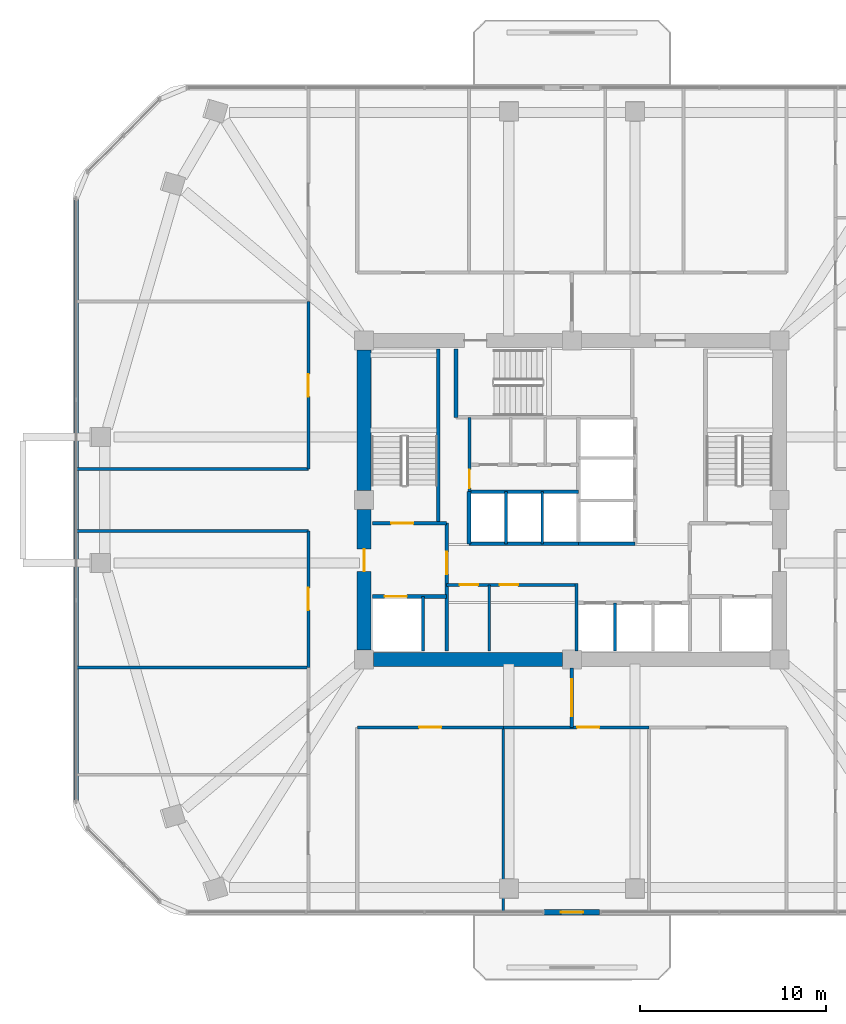
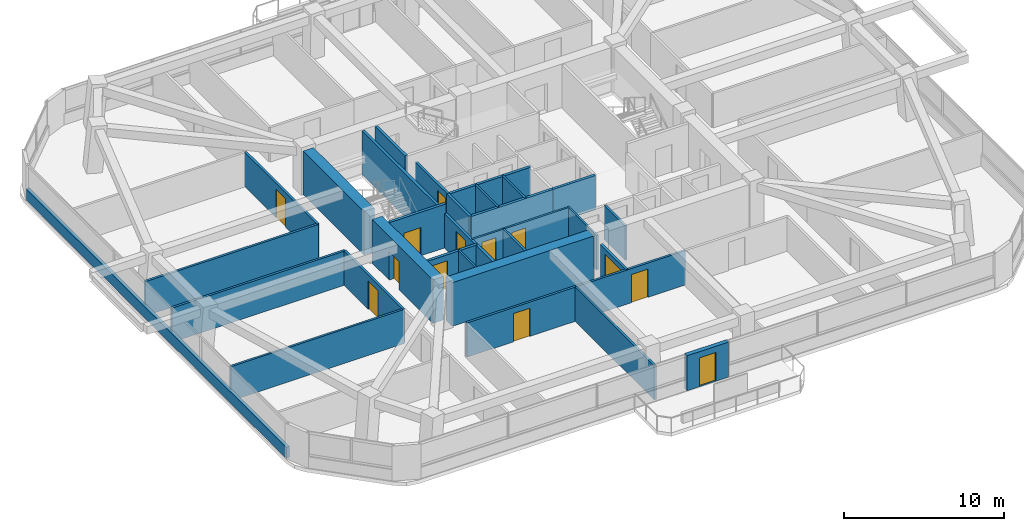
# One storey, part 8 of 13: 31 walls, 13 doors, 13 openings.
"""IFC4 building model written with IfcOpenShell, lengths in metres."""

from ifc_helpers import new_model, si_unit, derived_unit, direction, frame, frame_2d, origin, place, context, subcontext, project, spatial, rectangle, extrude, material, layer, layer_set, type_object, element, fill, save


model = new_model("IFC4")

# Units and contexts
model_context = context("Model", 3, precision=1e-05, world=origin(), true_north=direction((0.0, 1.0)))
body_context = subcontext(model_context, "Body", "Model", "MODEL_VIEW")
ifc_project = project(units=[si_unit("LENGTHUNIT", "METRE"), si_unit("AREAUNIT", "SQUARE_METRE"), si_unit("VOLUMEUNIT", "CUBIC_METRE"), si_unit("PLANEANGLEUNIT", "RADIAN"), si_unit("MASSUNIT", "GRAM", prefix="KILO"), derived_unit("THERMALTRANSMITTANCEUNIT", [(si_unit("POWERUNIT", "WATT"), 1), (si_unit("LENGTHUNIT", "METRE"), -2), (si_unit("THERMODYNAMICTEMPERATUREUNIT", "KELVIN"), -1)])], contexts=[model_context])

# Site, building, storey
site_placement = place(None, origin())
site = spatial("IfcSite", under=ifc_project, at=site_placement, CompositionType="ELEMENT")
building_placement = place(site_placement, origin())
building = spatial("IfcBuilding", under=site, at=building_placement, Name="Koralith Skygarden Medical Center", CompositionType="ELEMENT")
storey_placement = place(building_placement, frame((0.0, 0.0, 88.3798828125)))
storey = spatial("IfcBuildingStorey", under=building, at=storey_placement, Name="L22", CompositionType="ELEMENT", Elevation=88.3798828125)

# Wall, openings, doors
ifc_material_1 = material(Name="Gypsum Board Partition")
ifc_layer_1 = layer(ifc_material_1, 0.14990234375)
ifc_layer_set_1 = layer_set([ifc_layer_1], Name="Gypsum Board Partition")
wall_type_1 = type_object("IfcWallType", Name="Clinical Acoustic Partition 150", PredefinedType="PARTITIONING", material=ifc_layer_set_1)
wall_1_placement = place(storey_placement, frame((30.25, 21.320068359375, 0.0), z_axis=(0.0, 0.0, 1.0), x_axis=(1.0, 0.0, 0.0)))
wall_1 = element("IfcWall", 1, at=wall_1_placement, inside=storey, type_object=wall_type_1, Name="L22 Clinical Acoustic Partition 150 W-CORE-L22-FREED-LR-N", PredefinedType="PARTITIONING", context=body_context, shape_type="SweptSolid", body=[
    extrude(rectangle(XDim=7.0, YDim=0.14990234375, at=frame_2d((3.5, 0.0))), origin(), (0.0, 0.0, 1.0), 2.610107421875),
])
opening_1_placement = place(wall_1_placement, frame((0.699951171875, 0.0, 0.0)))
opening_1 = element("IfcOpeningElement", 2, at=opening_1_placement, cuts=wall_1, Name="Opening D-SUP", PredefinedType="OPENING", context=body_context, shape_type="SweptSolid", body=[
    extrude(rectangle(XDim=1.0, YDim=2.14990234375, at=frame_2d((0.5, 1.074951171875))), frame((0.0, 0.0849609375, 0.0), z_axis=(0.0, -1.0, 0.0), x_axis=(1.0, 0.0, 0.0)), (0.0, 0.0, 1.0), 0.169921875),
])
opening_2_placement = place(wall_1_placement, frame((2.85009765625, 0.0, 0.0)))
opening_2 = element("IfcOpeningElement", 3, at=opening_2_placement, cuts=wall_1, Name="Opening D-SUP", PredefinedType="OPENING", context=body_context, shape_type="SweptSolid", body=[
    extrude(rectangle(XDim=1.0, YDim=2.14990234375, at=frame_2d((0.5, 1.074951171875))), frame((0.0, 0.0849609375, 0.0), z_axis=(0.0, -1.0, 0.0), x_axis=(1.0, 0.0, 0.0)), (0.0, 0.0, 1.0), 0.169921875),
])
ifc_material_2 = material(Name="Aluminium 6063-T6", Category="aluminium")
door_type_1 = type_object("IfcDoorType", Name="Clinical Support Door D-SUP 1000", OperationType="NOTDEFINED", PredefinedType="DOOR", material=ifc_material_2)
door_1_placement = place(opening_1_placement, frame((1.0, 0.0, 0.0), z_axis=(0.0, 0.0, 1.0), x_axis=(-1.0, 0.0, 0.0)))
door_1 = element("IfcDoor", 4, at=door_1_placement, inside=storey, type_object=door_type_1, Name="L22 Medication Preparation Door", OperationType="SINGLE_SWING_LEFT", OverallHeight=2.14990234375, OverallWidth=1.0, PredefinedType="DOOR", context=body_context, shape_type="SweptSolid", body=[
    extrude(rectangle(XDim=1.0, YDim=2.14990234375, at=frame_2d((0.5, 1.074951171875))), frame((0.0, 0.02490234375, 0.0), z_axis=(0.0, -1.0, 0.0), x_axis=(1.0, 0.0, 0.0)), (0.0, 0.0, 1.0), 0.050048828125),
])
fill(opening_1, door_1)
door_2_placement = place(opening_2_placement, frame((1.0, 0.0, 0.0), z_axis=(0.0, 0.0, 1.0), x_axis=(-1.0, 0.0, 0.0)))
door_2 = element("IfcDoor", 5, at=door_2_placement, inside=storey, type_object=door_type_1, Name="L22 Telemetry Room Door", OperationType="SINGLE_SWING_RIGHT", OverallHeight=2.14990234375, OverallWidth=1.0, PredefinedType="DOOR", context=body_context, shape_type="SweptSolid", body=[
    extrude(rectangle(XDim=1.0, YDim=2.14990234375, at=frame_2d((0.5, 1.074951171875))), frame((0.0, 0.02490234375, 0.0), z_axis=(0.0, -1.0, 0.0), x_axis=(1.0, 0.0, 0.0)), (0.0, 0.0, 1.0), 0.050048828125),
])
fill(opening_2, door_2)

# Walls
wall_2_placement = place(storey_placement, frame((32.550048828125, 17.75, 0.0), z_axis=(0.0, 0.0, 1.0), x_axis=(0.0, 1.0, 0.0)))
element("IfcWall", 6, at=wall_2_placement, inside=storey, type_object=wall_type_1, Name="L22 Clinical Acoustic Partition 150 W-CORE-L22-FREED-LR-M", PredefinedType="PARTITIONING", context=body_context, shape_type="SweptSolid", body=[
    extrude(rectangle(XDim=3.570068359375, YDim=0.14990234375, at=frame_2d((1.78515625, 0.0))), origin(), (0.0, 0.0, 1.0), 2.610107421875),
])
wall_3_placement = place(storey_placement, frame((33.301025390625, 13.639892578125, 0.0), z_axis=(0.0, 0.0, 1.0), x_axis=(0.0, -1.0, 0.0)))
element("IfcWall", 7, at=wall_3_placement, inside=storey, type_object=wall_type_1, Name="L22 Clinical Acoustic Partition 150 W-PART-L22-S-01", PredefinedType="PARTITIONING", context=body_context, shape_type="SweptSolid", body=[
    extrude(rectangle(XDim=9.93994140625, YDim=0.14990234375, at=frame_2d((4.969970703125, 0.0))), origin(), (0.0, 0.0, 1.0), 2.610107421875),
])
wall_4_placement = place(storey_placement, frame((22.7900390625, 16.8779296875, 0.0), z_axis=(0.0, 0.0, 1.0), x_axis=(-1.0, 0.0, 0.0)))
element("IfcWall", 8, at=wall_4_placement, inside=storey, type_object=wall_type_1, Name="L22 Clinical Acoustic Partition 150 W-PART-L22-WS-02", PredefinedType="PARTITIONING", context=body_context, shape_type="SweptSolid", body=[
    extrude(rectangle(XDim=12.489990234375, YDim=0.14990234375, at=frame_2d((6.2451171875, 0.0))), origin(), (0.0, 0.0, 1.0), 2.610107421875),
])
ifc_layer_2 = layer(ifc_material_1, 0.1650390625)
ifc_layer_set_2 = layer_set([ifc_layer_2], Name="Gypsum Board Partition")
wall_type_2 = type_object("IfcWallType", Name="Clinical Corridor Partition 165", PredefinedType="PARTITIONING", material=ifc_layer_set_2)
for number, where, z_axis, x_axis, name in (
    (9, (10.300048828125, 24.239990234375, 0.0), (0.0, 0.0, 1.0), (1.0, 0.0, 0.0), "L22 Clinical Corridor Partition 165 W-HCOR-L22-EWS-W"),
    (10, (10.300048828125, 27.56005859375, 0.0), (0.0, 0.0, 1.0), (1.0, 0.0, 0.0), "L22 Clinical Corridor Partition 165 W-HCOR-L22-EWN-W"),
):
    element("IfcWall", number, at=place(storey_placement, frame(where, z_axis=z_axis, x_axis=x_axis)), inside=storey, type_object=wall_type_2, Name=name, PredefinedType="PARTITIONING", context=body_context, shape_type="SweptSolid", body=[
        extrude(rectangle(XDim=12.489990234375, YDim=0.1650390625, at=frame_2d((6.2451171875, 0.0))), origin(), (0.0, 0.0, 1.0), 2.610107421875),
    ])

# Wall, opening, door
wall_5_placement = place(storey_placement, frame((25.429931640625, 13.639892578125, 0.0), z_axis=(0.0, 0.0, 1.0), x_axis=(1.0, 0.0, 0.0)))
wall_5 = element("IfcWall", 11, at=wall_5_placement, inside=storey, type_object=wall_type_2, Name="L22 Clinical Corridor Partition 165 W-CORR-L22-S-01", PredefinedType="PARTITIONING", context=body_context, shape_type="SweptSolid", body=[
    extrude(rectangle(XDim=7.87109375, YDim=0.1650390625, at=frame_2d((3.935546875, 0.0))), origin(), (0.0, 0.0, 1.0), 2.610107421875),
])
opening_3_placement = place(wall_5_placement, frame((3.3359375, 0.0, 0.0)))
opening_3 = element("IfcOpeningElement", 12, at=opening_3_placement, cuts=wall_5, Name="Opening D-CLN", PredefinedType="OPENING", context=body_context, shape_type="SweptSolid", body=[
    extrude(rectangle(XDim=1.199951171875, YDim=2.14990234375, at=frame_2d((0.60009765625, 1.074951171875))), frame((0.0, 0.092529296875, 0.0), z_axis=(0.0, -1.0, 0.0), x_axis=(1.0, 0.0, 0.0)), (0.0, 0.0, 1.0), 0.18505859375),
])
door_type_2 = type_object("IfcDoorType", Name="Clinical Corridor Door D-CLN 1200", OperationType="NOTDEFINED", PredefinedType="DOOR", material=ifc_material_2)
door_3_placement = place(opening_3_placement, frame((1.199951171875, 0.0, 0.0), z_axis=(0.0, 0.0, 1.0), x_axis=(-1.0, 0.0, 0.0)))
door_3 = element("IfcDoor", 13, at=door_3_placement, inside=storey, type_object=door_type_2, Name="L22 Clinical Consultation Office 05 Door", OperationType="SINGLE_SWING_RIGHT", OverallHeight=2.14990234375, OverallWidth=1.199951171875, PredefinedType="DOOR", context=body_context, shape_type="SweptSolid", body=[
    extrude(rectangle(XDim=1.199951171875, YDim=2.14990234375, at=frame_2d((0.60009765625, 1.074951171875))), frame((0.0, 0.02490234375, 0.0), z_axis=(0.0, -1.0, 0.0), x_axis=(1.0, 0.0, 0.0)), (0.0, 0.0, 1.0), 0.050048828125),
])
fill(opening_3, door_3)

wall_6_placement = place(storey_placement, frame((33.301025390625, 13.639892578125, 0.0), z_axis=(0.0, 0.0, 1.0), x_axis=(1.0, 0.0, 0.0)))
wall_6 = element("IfcWall", 14, at=wall_6_placement, inside=storey, type_object=wall_type_2, Name="L22 Clinical Corridor Partition 165 W-CORR-L22-S-02", PredefinedType="PARTITIONING", context=body_context, shape_type="SweptSolid", body=[
    extrude(rectangle(XDim=7.861083984375, YDim=0.1650390625, at=frame_2d((3.9306640625, 0.0))), origin(), (0.0, 0.0, 1.0), 2.610107421875),
])
opening_4_placement = place(wall_6_placement, frame((3.98095703125, 0.0, 0.0)))
opening_4 = element("IfcOpeningElement", 15, at=opening_4_placement, cuts=wall_6, Name="Opening D-CLN", PredefinedType="OPENING", context=body_context, shape_type="SweptSolid", body=[
    extrude(rectangle(XDim=1.199951171875, YDim=2.14990234375, at=frame_2d((0.60009765625, 1.074951171875))), frame((0.0, 0.092529296875, 0.0), z_axis=(0.0, -1.0, 0.0), x_axis=(1.0, 0.0, 0.0)), (0.0, 0.0, 1.0), 0.18505859375),
])
door_4_placement = place(opening_4_placement, frame((1.199951171875, 0.0, 0.0), z_axis=(0.0, 0.0, 1.0), x_axis=(-1.0, 0.0, 0.0)))
door_4 = element("IfcDoor", 16, at=door_4_placement, inside=storey, type_object=door_type_2, Name="L22 Patient and Family Sky-Garden Day Lounge 06 Door", OperationType="SINGLE_SWING_LEFT", OverallHeight=2.14990234375, OverallWidth=1.199951171875, PredefinedType="DOOR", context=body_context, shape_type="SweptSolid", body=[
    extrude(rectangle(XDim=1.199951171875, YDim=2.14990234375, at=frame_2d((0.60009765625, 1.074951171875))), frame((0.0, 0.02490234375, 0.0), z_axis=(0.0, -1.0, 0.0), x_axis=(1.0, 0.0, 0.0)), (0.0, 0.0, 1.0), 0.050048828125),
])
fill(opening_4, door_4)

wall_7_placement = place(storey_placement, frame((22.7900390625, 16.8779296875, 0.0), z_axis=(0.0, 0.0, 1.0), x_axis=(0.0, 1.0, 0.0)))
wall_7 = element("IfcWall", 17, at=wall_7_placement, inside=storey, type_object=wall_type_2, Name="L22 Clinical Corridor Partition 165 W-CORR-L22-WS-03", PredefinedType="PARTITIONING", context=body_context, shape_type="SweptSolid", body=[
    extrude(rectangle(XDim=7.362060546875, YDim=0.1650390625, at=frame_2d((3.68115234375, 0.0))), origin(), (0.0, 0.0, 1.0), 2.610107421875),
])
opening_5_placement = place(wall_7_placement, frame((3.0810546875, 0.0, 0.0)))
opening_5 = element("IfcOpeningElement", 18, at=opening_5_placement, cuts=wall_7, Name="Opening D-CLN", PredefinedType="OPENING", context=body_context, shape_type="SweptSolid", body=[
    extrude(rectangle(XDim=1.199951171875, YDim=2.14990234375, at=frame_2d((0.60009765625, 1.074951171875))), frame((0.0, 0.092529296875, 0.0), z_axis=(0.0, -1.0, 0.0), x_axis=(1.0, 0.0, 0.0)), (0.0, 0.0, 1.0), 0.18505859375),
])
door_5_placement = place(opening_5_placement, frame((1.199951171875, 0.0, 0.0), z_axis=(0.0, 0.0, 1.0), x_axis=(-1.0, 0.0, 0.0)))
door_5 = element("IfcDoor", 19, at=door_5_placement, inside=storey, type_object=door_type_2, Name="L22 Clinical Consultation Office 10 Door", OperationType="SINGLE_SWING_LEFT", OverallHeight=2.14990234375, OverallWidth=1.199951171875, PredefinedType="DOOR", context=body_context, shape_type="SweptSolid", body=[
    extrude(rectangle(XDim=1.199951171875, YDim=2.14990234375, at=frame_2d((0.60009765625, 1.074951171875))), frame((0.0, 0.02490234375, 0.0), z_axis=(0.0, -1.0, 0.0), x_axis=(1.0, 0.0, 0.0)), (0.0, 0.0, 1.0), 0.050048828125),
])
fill(opening_5, door_5)

wall_8_placement = place(storey_placement, frame((22.7900390625, 27.56005859375, 0.0), z_axis=(0.0, 0.0, 1.0), x_axis=(0.0, 1.0, 0.0)))
wall_8 = element("IfcWall", 20, at=wall_8_placement, inside=storey, type_object=wall_type_2, Name="L22 Clinical Corridor Partition 165 W-CORR-L22-WN-01", PredefinedType="PARTITIONING", context=body_context, shape_type="SweptSolid", body=[
    extrude(rectangle(XDim=9.037841796875, YDim=0.1650390625, at=frame_2d((4.51904296875, 0.0))), origin(), (0.0, 0.0, 1.0), 2.610107421875),
])
opening_6_placement = place(wall_8_placement, frame((3.9189453125, 0.0, 0.0)))
opening_6 = element("IfcOpeningElement", 21, at=opening_6_placement, cuts=wall_8, Name="Opening D-CLN", PredefinedType="OPENING", context=body_context, shape_type="SweptSolid", body=[
    extrude(rectangle(XDim=1.199951171875, YDim=2.14990234375, at=frame_2d((0.60009765625, 1.074951171875))), frame((0.0, 0.092529296875, 0.0), z_axis=(0.0, -1.0, 0.0), x_axis=(1.0, 0.0, 0.0)), (0.0, 0.0, 1.0), 0.18505859375),
])
door_6_placement = place(opening_6_placement, frame((1.199951171875, 0.0, 0.0), z_axis=(0.0, 0.0, 1.0), x_axis=(-1.0, 0.0, 0.0)))
door_6 = element("IfcDoor", 22, at=door_6_placement, inside=storey, type_object=door_type_2, Name="L22 Physician Consultation Office 11 Door", OperationType="SINGLE_SWING_RIGHT", OverallHeight=2.14990234375, OverallWidth=1.199951171875, PredefinedType="DOOR", context=body_context, shape_type="SweptSolid", body=[
    extrude(rectangle(XDim=1.199951171875, YDim=2.14990234375, at=frame_2d((0.60009765625, 1.074951171875))), frame((0.0, 0.02490234375, 0.0), z_axis=(0.0, -1.0, 0.0), x_axis=(1.0, 0.0, 0.0)), (0.0, 0.0, 1.0), 0.050048828125),
])
fill(opening_6, door_6)

ifc_layer_3 = layer(ifc_material_1, 0.199951171875)
ifc_layer_set_3 = layer_set([ifc_layer_3], Name="Gypsum Board Partition")
wall_type_3 = type_object("IfcWallType", Name="Fire Shaft Wall 200", PredefinedType="SOLIDWALL", material=ifc_layer_set_3)
wall_9_placement = place(storey_placement, frame((26.25, 20.699951171875, 0.0), z_axis=(0.0, 0.0, 1.0), x_axis=(1.0, 0.0, 0.0)))
wall_9 = element("IfcWall", 23, at=wall_9_placement, inside=storey, type_object=wall_type_3, Name="L22 Fire Shaft Wall 200 W-CORE-L22-FF1-N", PredefinedType="SOLIDWALL", context=body_context, shape_type="SweptSolid", body=[
    extrude(rectangle(XDim=4.0, YDim=0.199951171875, at=frame_2d((2.0, 0.0))), origin(), (0.0, 0.0, 1.0), 2.610107421875),
])
opening_7_placement = place(wall_9_placement, frame((0.64990234375, 0.0, 0.0)))
opening_7 = element("IfcOpeningElement", 24, at=opening_7_placement, cuts=wall_9, Name="Opening LD-FF", PredefinedType="OPENING", context=body_context, shape_type="SweptSolid", body=[
    extrude(rectangle(XDim=1.199951171875, YDim=2.14990234375, at=frame_2d((0.60009765625, 1.074951171875))), frame((0.0, 0.10986328125, 0.0), z_axis=(0.0, -1.0, 0.0), x_axis=(1.0, 0.0, 0.0)), (0.0, 0.0, 1.0), 0.219970703125),
])
ifc_material_3 = material(Name="Steel ASTM A500 Grade C", Category="steel")
door_type_3 = type_object("IfcDoorType", Name="Fire Lift Sliding Landing Door LD-FF 1200", OperationType="NOTDEFINED", PredefinedType="DOOR", material=ifc_material_3)
door_7_placement = place(opening_7_placement, origin())
door_7 = element("IfcDoor", 25, at=door_7_placement, inside=storey, type_object=door_type_3, Name="L22 Fire Service Elevator FF1 Landing Door", OperationType="SLIDING_TO_LEFT", OverallHeight=2.14990234375, OverallWidth=1.199951171875, PredefinedType="DOOR", context=body_context, shape_type="SweptSolid", body=[
    extrude(rectangle(XDim=1.199951171875, YDim=2.14990234375, at=frame_2d((0.60009765625, 1.074951171875))), frame((0.0, 0.02490234375, 0.0), z_axis=(0.0, -1.0, 0.0), x_axis=(1.0, 0.0, 0.0)), (0.0, 0.0, 1.0), 0.050048828125),
])
fill(opening_7, door_7)

wall_10_placement = place(storey_placement, frame((30.25, 17.75, 0.0), z_axis=(0.0, 0.0, 1.0), x_axis=(0.0, 1.0, 0.0)))
wall_10 = element("IfcWall", 26, at=wall_10_placement, inside=storey, type_object=wall_type_3, Name="L22 Fire Shaft Wall 200 W-CORE-L22-FSAEW-E", PredefinedType="SOLIDWALL", context=body_context, shape_type="SweptSolid", body=[
    extrude(rectangle(XDim=6.89990234375, YDim=0.199951171875, at=frame_2d((3.449951171875, 0.0))), origin(), (0.0, 0.0, 1.0), 2.610107421875),
])
opening_8_placement = place(wall_10_placement, frame((4.14990234375, 0.0, 0.0)))
opening_8 = element("IfcOpeningElement", 27, at=opening_8_placement, cuts=wall_10, Name="Opening D-ST60", PredefinedType="OPENING", context=body_context, shape_type="SweptSolid", body=[
    extrude(rectangle(XDim=1.199951171875, YDim=2.14990234375, at=frame_2d((0.60009765625, 1.074951171875))), frame((0.0, 0.10986328125, 0.0), z_axis=(0.0, -1.0, 0.0), x_axis=(1.0, 0.0, 0.0)), (0.0, 0.0, 1.0), 0.219970703125),
])
door_type_4 = type_object("IfcDoorType", Name="Smokeproof Stair Fire Door FD60S 1200", OperationType="NOTDEFINED", PredefinedType="DOOR", material=ifc_material_3)
door_8_placement = place(opening_8_placement, origin())
door_8 = element("IfcDoor", 28, at=door_8_placement, inside=storey, type_object=door_type_4, Name="L22 West Firefighting Lobby Inner Fire Door", OperationType="SINGLE_SWING_LEFT", OverallHeight=2.14990234375, OverallWidth=1.199951171875, PredefinedType="DOOR", context=body_context, shape_type="SweptSolid", body=[
    extrude(rectangle(XDim=1.199951171875, YDim=2.14990234375, at=frame_2d((0.60009765625, 1.074951171875))), frame((0.0, 0.02490234375, 0.0), z_axis=(0.0, -1.0, 0.0), x_axis=(1.0, 0.0, 0.0)), (0.0, 0.0, 1.0), 0.050048828125),
])
fill(opening_8, door_8)

# Walls
for number, where, z_axis, x_axis, name in (
    (29, (31.449951171875, 23.5400390625, 0.0), (0.0, 0.0, 1.0), (1.0, 0.0, 0.0), "L22 Fire Shaft Wall 200 W-CORE-L22-PH-S"),
    (30, (31.449951171875, 26.35009765625, 0.0), (0.0, 0.0, 1.0), (1.0, 0.0, 0.0), "L22 Fire Shaft Wall 200 W-CORE-L22-PH-N"),
):
    element("IfcWall", number, at=place(storey_placement, frame(where, z_axis=z_axis, x_axis=x_axis)), inside=storey, type_object=wall_type_3, Name=name, PredefinedType="SOLIDWALL", context=body_context, shape_type="SweptSolid", body=[
        extrude(rectangle(XDim=5.900146484375, YDim=0.199951171875, at=frame_2d((2.9501953125, 0.0))), origin(), (0.0, 0.0, 1.0), 2.610107421875),
    ])
wall_11_placement = place(storey_placement, frame((31.449951171875, 23.5400390625, 0.0), z_axis=(0.0, 0.0, 1.0), x_axis=(0.0, 1.0, 0.0)))
element("IfcWall", 31, at=wall_11_placement, inside=storey, type_object=wall_type_3, Name="L22 Fire Shaft Wall 200 W-CORE-L22-PH-W", PredefinedType="SOLIDWALL", context=body_context, shape_type="SweptSolid", body=[
    extrude(rectangle(XDim=2.81005859375, YDim=0.199951171875, at=frame_2d((1.405029296875, 0.0))), origin(), (0.0, 0.0, 1.0), 2.610107421875),
])
wall_12_placement = place(storey_placement, frame((37.35009765625, 23.5400390625, 0.0), z_axis=(0.0, 0.0, 1.0), x_axis=(1.0, 0.0, 0.0)))
element("IfcWall", 32, at=wall_12_placement, inside=storey, type_object=wall_type_3, Name="L22 Fire Shaft Wall 200 W-CORE-L22-SV-S", PredefinedType="SOLIDWALL", context=body_context, shape_type="SweptSolid", body=[
    extrude(rectangle(XDim=3.0498046875, YDim=0.199951171875, at=frame_2d((1.52490234375, 0.0))), origin(), (0.0, 0.0, 1.0), 2.610107421875),
])

# Wall, opening, door
ifc_layer_4 = layer(ifc_material_1, 0.179931640625)
ifc_layer_set_4 = layer_set([ifc_layer_4], Name="Gypsum Board Partition")
wall_type_4 = type_object("IfcWallType", Name="Group I-2 Smoke Barrier Wall 180", PredefinedType="PARTITIONING", material=ifc_layer_set_4)
wall_13_placement = place(storey_placement, frame((37.0, 13.639892578125, 0.0), z_axis=(0.0, 0.0, 1.0), x_axis=(0.0, 1.0, 0.0)))
wall_13 = element("IfcWall", 33, at=wall_13_placement, inside=storey, type_object=wall_type_4, Name="L22 Group I-2 Smoke Barrier Wall 180 W-SMK-L22-S", PredefinedType="PARTITIONING", context=body_context, shape_type="SweptSolid", body=[
    extrude(rectangle(XDim=3.210205078125, YDim=0.179931640625, at=frame_2d((1.60498046875, 0.0))), origin(), (0.0, 0.0, 1.0), 2.610107421875),
])
opening_9_placement = place(wall_13_placement, frame((0.60498046875, 0.0, 0.0)))
opening_9 = element("IfcOpeningElement", 34, at=opening_9_placement, cuts=wall_13, Name="Opening D-SMK", PredefinedType="OPENING", context=body_context, shape_type="SweptSolid", body=[
    extrude(rectangle(XDim=2.0, YDim=2.199951171875, at=frame_2d((1.0, 1.10009765625))), frame((0.0, 0.099853515625, 0.0), z_axis=(0.0, -1.0, 0.0), x_axis=(1.0, 0.0, 0.0)), (0.0, 0.0, 1.0), 0.199951171875),
])
door_type_5 = type_object("IfcDoorType", Name="Cross-Corridor Double Smoke Door FD60S 2000", OperationType="NOTDEFINED", PredefinedType="DOOR", material=ifc_material_3)
door_9_placement = place(opening_9_placement, frame((2.0, 0.0, 0.0), z_axis=(0.0, 0.0, 1.0), x_axis=(-1.0, 0.0, 0.0)))
door_9 = element("IfcDoor", 35, at=door_9_placement, inside=storey, type_object=door_type_5, Name="L22 S Smoke Compartment Cross-Corridor Door", OperationType="DOUBLE_DOOR_SINGLE_SWING", OverallHeight=2.199951171875, OverallWidth=2.0, PredefinedType="DOOR", context=body_context, shape_type="SweptSolid", body=[
    extrude(rectangle(XDim=2.0, YDim=2.199951171875, at=frame_2d((1.0, 1.10009765625))), frame((0.0, 0.02490234375, 0.0), z_axis=(0.0, -1.0, 0.0), x_axis=(1.0, 0.0, 0.0)), (0.0, 0.0, 1.0), 0.050048828125),
])
fill(opening_9, door_9)

# Walls
ifc_material_4 = material(Name="Warm Oolitic Limestone Cladding", Category="masonry")
ifc_layer_5 = layer(ifc_material_4, 0.239990234375)
ifc_layer_set_5 = layer_set([ifc_layer_5], Name="Warm Oolitic Limestone Cladding")
wall_type_5 = type_object("IfcWallType", Name="Limestone Spandrel Sill Backup Wall 240", PredefinedType="SOLIDWALL", material=ifc_layer_set_5)
wall_14_placement = place(storey_placement, frame((10.280029296875, 42.14501953125, 0.0), z_axis=(0.0, 0.0, 1.0), x_axis=(0.0, -1.0, 0.0)))
element("IfcWall", 36, at=wall_14_placement, inside=storey, type_object=wall_type_5, Name="L22 Sill Spandrel W", PredefinedType="SOLIDWALL", context=body_context, shape_type="SweptSolid", body=[
    extrude(rectangle(XDim=32.489990234375, YDim=0.239990234375, at=frame_2d((16.2451171875, 0.0))), origin(), (0.0, 0.0, 1.0), 0.85009765625),
])
ifc_material_5 = material(Name="Concrete C70/85", Category="concrete")
ifc_layer_6 = layer(ifc_material_5, 0.75)
ifc_layer_set_6 = layer_set([ifc_layer_6], Name="Concrete C70/85")
wall_type_6 = type_object("IfcWallType", Name="Mid Core Shear Wall 750", PredefinedType="SHEAR", material=ifc_layer_set_6)
wall_15_placement = place(storey_placement, frame((26.304931640625, 17.300048828125, 0.0), z_axis=(0.0, 0.0, 1.0), x_axis=(1.0, 0.0, 0.0)))
element("IfcWall", 37, at=wall_15_placement, inside=storey, type_object=wall_type_6, Name="L22 Core Shear Wall Segment 1", PredefinedType="SHEAR", context=body_context, shape_type="SweptSolid", body=[
    extrude(rectangle(XDim=10.190185546875, YDim=0.75, at=frame_2d((5.09521484375, 0.0))), origin(), (0.0, 0.0, 1.0), 3.320068359375),
])
wall_16_placement = place(storey_placement, frame((25.800048828125, 33.9951171875, 0.0), z_axis=(0.0, 0.0, 1.0), x_axis=(0.0, -1.0, 0.0)))
element("IfcWall", 38, at=wall_16_placement, inside=storey, type_object=wall_type_6, Name="L22 Core Shear Wall Segment 7", PredefinedType="SHEAR", context=body_context, shape_type="SweptSolid", body=[
    extrude(rectangle(XDim=7.590087890625, YDim=0.75, at=frame_2d((3.794921875, 0.0))), origin(), (0.0, 0.0, 1.0), 3.320068359375),
])

# Wall, opening, door
wall_17_placement = place(storey_placement, frame((25.800048828125, 25.39501953125, 0.0), z_axis=(0.0, 0.0, 1.0), x_axis=(0.0, -1.0, 0.0)))
wall_17 = element("IfcWall", 39, at=wall_17_placement, inside=storey, type_object=wall_type_6, Name="L22 Core Shear Wall Segment 8", PredefinedType="SHEAR", context=body_context, shape_type="SweptSolid", body=[
    extrude(rectangle(XDim=7.590087890625, YDim=0.75, at=frame_2d((3.794921875, 0.0))), origin(), (0.0, 0.0, 1.0), 3.320068359375),
])
opening_10_placement = place(wall_17_placement, frame((2.14501953125, 0.0, 0.0)))
opening_10 = element("IfcOpeningElement", 40, at=opening_10_placement, cuts=wall_17, Name="Opening D-ST60", PredefinedType="OPENING", context=body_context, shape_type="SweptSolid", body=[
    extrude(rectangle(XDim=1.199951171875, YDim=2.14990234375, at=frame_2d((0.60009765625, 1.074951171875))), frame((0.0, 0.385009765625, 0.0), z_axis=(0.0, -1.0, 0.0), x_axis=(1.0, 0.0, 0.0)), (0.0, 0.0, 1.0), 0.77001953125),
])
door_10_placement = place(opening_10_placement, frame((1.199951171875, 0.0, 0.0), z_axis=(0.0, 0.0, 1.0), x_axis=(-1.0, 0.0, 0.0)))
door_10 = element("IfcDoor", 41, at=door_10_placement, inside=storey, type_object=door_type_4, Name="L22 West Corridor to Firefighting Lobby Door", OperationType="SINGLE_SWING_LEFT", OverallHeight=2.14990234375, OverallWidth=1.199951171875, PredefinedType="DOOR", context=body_context, shape_type="SweptSolid", body=[
    extrude(rectangle(XDim=1.199951171875, YDim=2.14990234375, at=frame_2d((0.60009765625, 1.074951171875))), frame((0.0, 0.02490234375, 0.0), z_axis=(0.0, -1.0, 0.0), x_axis=(1.0, 0.0, 0.0)), (0.0, 0.0, 1.0), 0.050048828125),
])
fill(opening_10, door_10)

ifc_layer_7 = layer(ifc_material_4, 0.300048828125)
ifc_layer_set_7 = layer_set([ifc_layer_7], Name="Warm Oolitic Limestone Cladding")
wall_type_7 = type_object("IfcWallType", Name="Oolitic Limestone Insulated Facade Wall 300", PredefinedType="SOLIDWALL", material=ifc_layer_set_7)
wall_18_placement = place(storey_placement, frame((35.4990234375, 3.679931640625, 0.0), z_axis=(0.0, 0.0, 1.0), x_axis=(1.0, 0.0, 0.0)))
wall_18 = element("IfcWall", 42, at=wall_18_placement, inside=storey, type_object=wall_type_7, Name="L22 Terrace Portal Wall S", PredefinedType="SOLIDWALL", context=body_context, shape_type="SweptSolid", body=[
    extrude(rectangle(XDim=3.0, YDim=0.300048828125, at=frame_2d((1.5, 0.0))), origin(), (0.0, 0.0, 1.0), 2.670166015625),
])
opening_11_placement = place(wall_18_placement, frame((0.89990234375, 0.0, 0.0)))
opening_11 = element("IfcOpeningElement", 43, at=opening_11_placement, cuts=wall_18, Name="Opening D-BAL", PredefinedType="OPENING", context=body_context, shape_type="SweptSolid", body=[
    extrude(rectangle(XDim=1.199951171875, YDim=2.199951171875, at=frame_2d((0.60009765625, 1.10009765625))), frame((0.0, 0.159912109375, 0.0), z_axis=(0.0, -1.0, 0.0), x_axis=(1.0, 0.0, 0.0)), (0.0, 0.0, 1.0), 0.320068359375),
])
door_type_6 = type_object("IfcDoorType", Name="Planted Balcony Glazed Terrace Door D-BAL 1200", OperationType="NOTDEFINED", PredefinedType="DOOR", material=ifc_material_2)
door_11_placement = place(opening_11_placement, origin())
door_11 = element("IfcDoor", 44, at=door_11_placement, inside=storey, type_object=door_type_6, Name="L22 S Outdoor Terrace Access Door", OperationType="SINGLE_SWING_LEFT", OverallHeight=2.199951171875, OverallWidth=1.199951171875, PredefinedType="DOOR", context=body_context, shape_type="SweptSolid", body=[
    extrude(rectangle(XDim=1.199951171875, YDim=2.199951171875, at=frame_2d((0.60009765625, 1.10009765625))), frame((0.0, 0.02490234375, 0.0), z_axis=(0.0, -1.0, 0.0), x_axis=(1.0, 0.0, 0.0)), (0.0, 0.0, 1.0), 0.050048828125),
])
fill(opening_11, door_11)

ifc_layer_8 = layer(ifc_material_1, 0.1650390625)
ifc_layer_set_8 = layer_set([ifc_layer_8], Name="Gypsum Board Partition")
wall_type_8 = type_object("IfcWallType", Name="Plumbing Wet Wall 165", PredefinedType="PLUMBINGWALL", material=ifc_layer_set_8)
wall_19_placement = place(storey_placement, frame((31.47998046875, 26.320068359375, 0.0), z_axis=(0.0, 0.0, 1.0), x_axis=(0.0, 1.0, 0.0)))
wall_19 = element("IfcWall", 45, at=wall_19_placement, inside=storey, type_object=wall_type_8, Name="L22 Plumbing Wet Wall 165 W-CORE-L22-FLEX-W", PredefinedType="PLUMBINGWALL", context=body_context, shape_type="SweptSolid", body=[
    extrude(rectangle(XDim=4.0400390625, YDim=0.1650390625, at=frame_2d((2.02001953125, 0.0))), origin(), (0.0, 0.0, 1.0), 2.610107421875),
])
opening_12_placement = place(wall_19_placement, frame((0.219970703125, 0.0, 0.0)))
opening_12 = element("IfcOpeningElement", 46, at=opening_12_placement, cuts=wall_19, Name="Opening D-SUP", PredefinedType="OPENING", context=body_context, shape_type="SweptSolid", body=[
    extrude(rectangle(XDim=1.0, YDim=2.14990234375, at=frame_2d((0.5, 1.074951171875))), frame((0.0, 0.092529296875, 0.0), z_axis=(0.0, -1.0, 0.0), x_axis=(1.0, 0.0, 0.0)), (0.0, 0.0, 1.0), 0.18505859375),
])
door_12_placement = place(opening_12_placement, frame((1.0, 0.0, 0.0), z_axis=(0.0, 0.0, 1.0), x_axis=(-1.0, 0.0, 0.0)))
door_12 = element("IfcDoor", 47, at=door_12_placement, inside=storey, type_object=door_type_1, Name="L22 Core Service Alcove Door", OperationType="SINGLE_SWING_LEFT", OverallHeight=2.14990234375, OverallWidth=1.0, PredefinedType="DOOR", context=body_context, shape_type="SweptSolid", body=[
    extrude(rectangle(XDim=1.0, YDim=2.14990234375, at=frame_2d((0.5, 1.074951171875))), frame((0.0, 0.02490234375, 0.0), z_axis=(0.0, -1.0, 0.0), x_axis=(1.0, 0.0, 0.0)), (0.0, 0.0, 1.0), 0.050048828125),
])
fill(opening_12, door_12)

# Walls
ifc_layer_9 = layer(ifc_material_1, 0.14990234375)
ifc_layer_set_9 = layer_set([ifc_layer_9], Name="Gypsum Board Partition")
wall_type_9 = type_object("IfcWallType", Name="Shaft Partition Wall 150", PredefinedType="PARTITIONING", material=ifc_layer_set_9)
wall_20_placement = place(storey_placement, frame((28.969970703125, 17.75, 0.0), z_axis=(0.0, 0.0, 1.0), x_axis=(0.0, 1.0, 0.0)))
element("IfcWall", 48, at=wall_20_placement, inside=storey, type_object=wall_type_9, Name="L22 Shaft Partition Wall 150 W-CORE-L22-RSRW-DIV", PredefinedType="PARTITIONING", context=body_context, shape_type="SweptSolid", body=[
    extrude(rectangle(XDim=2.949951171875, YDim=0.14990234375, at=frame_2d((1.47509765625, 0.0))), origin(), (0.0, 0.0, 1.0), 2.610107421875),
])
wall_21_placement = place(storey_placement, frame((39.320068359375, 17.75, 0.0), z_axis=(0.0, 0.0, 1.0), x_axis=(0.0, 1.0, 0.0)))
element("IfcWall", 49, at=wall_21_placement, inside=storey, type_object=wall_type_9, Name="L22 Shaft Partition Wall 150 W-CORE-L22-PM-D1", PredefinedType="PARTITIONING", context=body_context, shape_type="SweptSolid", body=[
    extrude(rectangle(XDim=2.610107421875, YDim=0.14990234375, at=frame_2d((1.30517578125, 0.0))), origin(), (0.0, 0.0, 1.0), 2.610107421875),
])
wall_22_placement = place(storey_placement, frame((37.25, 17.75, 0.0), z_axis=(0.0, 0.0, 1.0), x_axis=(0.0, 1.0, 0.0)))
element("IfcWall", 50, at=wall_22_placement, inside=storey, type_object=wall_type_9, Name="L22 Shaft Partition Wall 150 W-CORE-L22-PL-PM-SEP", PredefinedType="PARTITIONING", context=body_context, shape_type="SweptSolid", body=[
    extrude(rectangle(XDim=3.64990234375, YDim=0.14990234375, at=frame_2d((1.824951171875, 0.0))), origin(), (0.0, 0.0, 1.0), 2.610107421875),
])
for number, where, z_axis, x_axis, name in (
    (51, (33.449951171875, 23.5400390625, 0.0), (0.0, 0.0, 1.0), (0.0, 1.0, 0.0), "L22 Shaft Partition Wall 150 W-CORE-L22-PH-D1"),
    (52, (35.39990234375, 23.5400390625, 0.0), (0.0, 0.0, 1.0), (0.0, 1.0, 0.0), "L22 Shaft Partition Wall 150 W-CORE-L22-PH-D2"),
):
    element("IfcWall", number, at=place(storey_placement, frame(where, z_axis=z_axis, x_axis=x_axis)), inside=storey, type_object=wall_type_9, Name=name, PredefinedType="PARTITIONING", context=body_context, shape_type="SweptSolid", body=[
        extrude(rectangle(XDim=2.81005859375, YDim=0.14990234375, at=frame_2d((1.405029296875, 0.0))), origin(), (0.0, 0.0, 1.0), 2.610107421875),
    ])
ifc_material_6 = material(Name="Concrete C45/55", Category="concrete")
ifc_layer_10 = layer(ifc_material_6, 0.199951171875)
ifc_layer_set_10 = layer_set([ifc_layer_10], Name="Concrete C45/55")
wall_type_10 = type_object("IfcWallType", Name="Structural Stair Shaft Wall 200", PredefinedType="SHEAR", material=ifc_layer_set_10)
wall_23_placement = place(storey_placement, frame((29.800048828125, 24.64990234375, 0.0), z_axis=(0.0, 0.0, 1.0), x_axis=(0.0, 1.0, 0.0)))
element("IfcWall", 53, at=wall_23_placement, inside=storey, type_object=wall_type_10, Name="L22 Structural Stair Shaft Wall 200 W-CORE-L22-ST1-E", PredefinedType="SHEAR", context=body_context, shape_type="SweptSolid", body=[
    extrude(rectangle(XDim=9.400146484375, YDim=0.199951171875, at=frame_2d((4.7001953125, 0.0))), origin(), (0.0, 0.0, 1.0), 3.320068359375),
])

# Wall, opening, door
wall_24_placement = place(storey_placement, frame((26.25, 24.64990234375, 0.0), z_axis=(0.0, 0.0, 1.0), x_axis=(1.0, 0.0, 0.0)))
wall_24 = element("IfcWall", 54, at=wall_24_placement, inside=storey, type_object=wall_type_10, Name="L22 Structural Stair Shaft Wall 200 W-CORE-L22-ST1-S", PredefinedType="SHEAR", context=body_context, shape_type="SweptSolid", body=[
    extrude(rectangle(XDim=4.0, YDim=0.199951171875, at=frame_2d((2.0, 0.0))), origin(), (0.0, 0.0, 1.0), 3.320068359375),
])
opening_13_placement = place(wall_24_placement, frame((1.0, 0.0, 0.0)))
opening_13 = element("IfcOpeningElement", 55, at=opening_13_placement, cuts=wall_24, Name="Opening D-ST60", PredefinedType="OPENING", context=body_context, shape_type="SweptSolid", body=[
    extrude(rectangle(XDim=1.199951171875, YDim=2.14990234375, at=frame_2d((0.60009765625, 1.074951171875))), frame((0.0, 0.10986328125, 0.0), z_axis=(0.0, -1.0, 0.0), x_axis=(1.0, 0.0, 0.0)), (0.0, 0.0, 1.0), 0.219970703125),
])
door_13_placement = place(opening_13_placement, origin())
door_13 = element("IfcDoor", 56, at=door_13_placement, inside=storey, type_object=door_type_4, Name="L22 Exit Stair ST1 Fire Door", OperationType="SINGLE_SWING_LEFT", OverallHeight=2.14990234375, OverallWidth=1.199951171875, PredefinedType="DOOR", context=body_context, shape_type="SweptSolid", body=[
    extrude(rectangle(XDim=1.199951171875, YDim=2.14990234375, at=frame_2d((0.60009765625, 1.074951171875))), frame((0.0, 0.02490234375, 0.0), z_axis=(0.0, -1.0, 0.0), x_axis=(1.0, 0.0, 0.0)), (0.0, 0.0, 1.0), 0.050048828125),
])
fill(opening_13, door_13)

# Wall
wall_25_placement = place(storey_placement, frame((30.75, 30.360107421875, 0.0), z_axis=(0.0, 0.0, 1.0), x_axis=(0.0, 1.0, 0.0)))
element("IfcWall", 57, at=wall_25_placement, inside=storey, type_object=wall_type_10, Name="L22 Structural Stair Shaft Wall 200 W-CORE-L22-ST3-W", PredefinedType="SHEAR", context=body_context, shape_type="SweptSolid", body=[
    extrude(rectangle(XDim=3.68994140625, YDim=0.199951171875, at=frame_2d((1.844970703125, 0.0))), origin(), (0.0, 0.0, 1.0), 3.320068359375),
])

save(model, "model.ifc")
